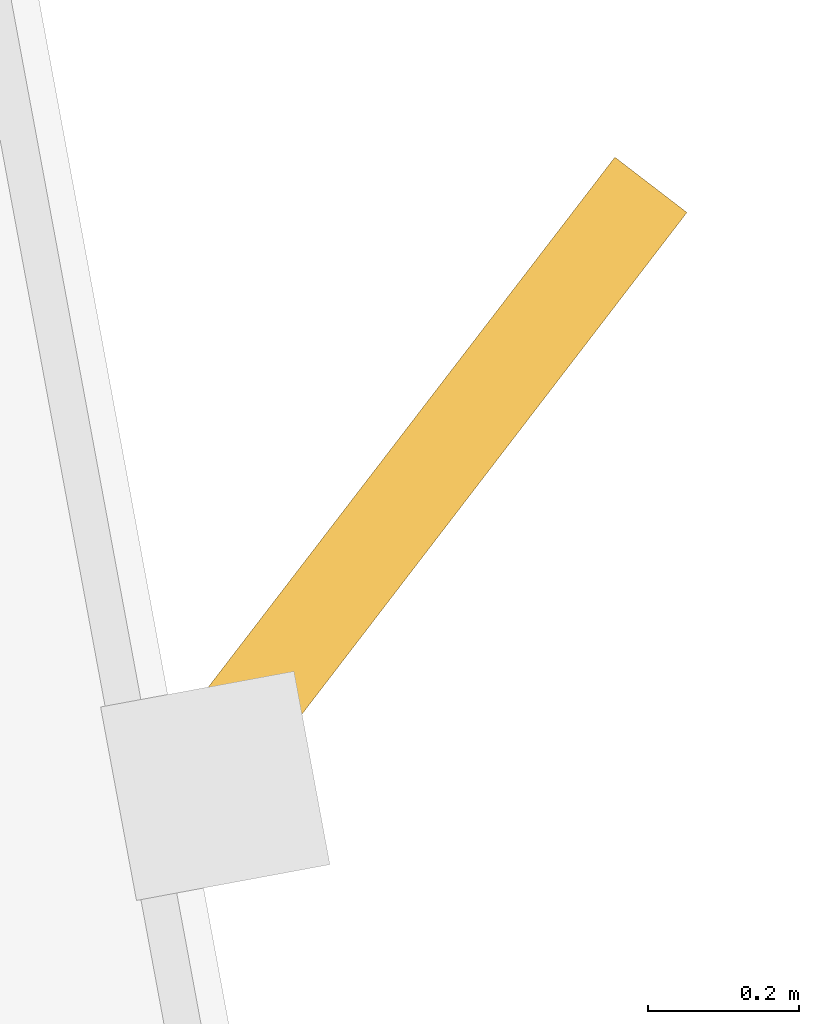
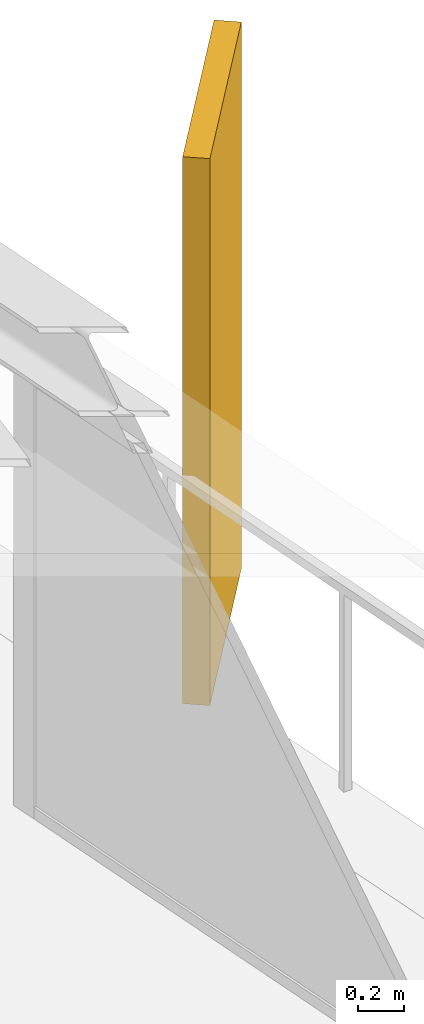
# One storey, part 14 of 14: 1 shading device.
"""IFC4 building model written with IfcOpenShell, lengths in metres."""

from ifc_helpers import new_model, si_unit, direction, frame, origin, origin_2d, place, context, subcontext, project, spatial, rectangle, extrude, material, layer, layer_set, type_object, element, save


model = new_model("IFC4")

# Units and contexts
model_context = context("Model", 3, precision=1e-05, world=origin(), true_north=direction((0.0, 1.0)))
body_context = subcontext(model_context, "Body", "Model", "MODEL_VIEW")
ifc_project = project(units=[si_unit("LENGTHUNIT", "METRE"), si_unit("AREAUNIT", "SQUARE_METRE"), si_unit("VOLUMEUNIT", "CUBIC_METRE"), si_unit("PLANEANGLEUNIT", "RADIAN"), si_unit("MASSUNIT", "GRAM", prefix="KILO")], contexts=[model_context])

# Site, building, storey
site_placement = place(None, origin())
site = spatial("IfcSite", under=ifc_project, at=site_placement, CompositionType="ELEMENT")
building_placement = place(site_placement, origin())
building = spatial("IfcBuilding", under=site, at=building_placement, Name="Rocaltana Carrier Exchange", CompositionType="ELEMENT")
storey_placement = place(building_placement, frame((0.0, 0.0, 178.39990234375)))
storey = spatial("IfcBuildingStorey", under=building, at=storey_placement, Name="L56", CompositionType="ELEMENT", Elevation=178.39990234375)

# Shading device
ifc_material = material(Name="Honed Bogota Sandstone & Concrete C45/55", Category="masonry")
ifc_layer = layer(ifc_material, 0.1201171875)
ifc_layer_set = layer_set([ifc_layer], Name="Honed Bogota Sandstone & Concrete C45/55")
shading_device_type = type_object("IfcShadingDeviceType", Name="Upper Sandstone Shading Fin 1050x120", PredefinedType="USERDEFINED", material=ifc_layer_set)
shading_device_placement = place(storey_placement, frame((9.611328125, 19.502685546875, -0.119873046875), z_axis=(0.0, 0.0, 1.0), x_axis=(0.608761429009, 0.793353340291, 0.0)))
element("IfcShadingDevice", 1, at=shading_device_placement, inside=storey, type_object=shading_device_type, Name="L56 Sandstone Vertical Fin F1-05", ObjectType="FIN", PredefinedType="USERDEFINED", context=body_context, shape_type="SweptSolid", body=[
    extrude(rectangle(XDim=1.050048828125, YDim=0.1201171875, at=origin_2d()), origin(), (0.0, 0.0, 1.0), 2.91796875),
])

save(model, "model.ifc")
